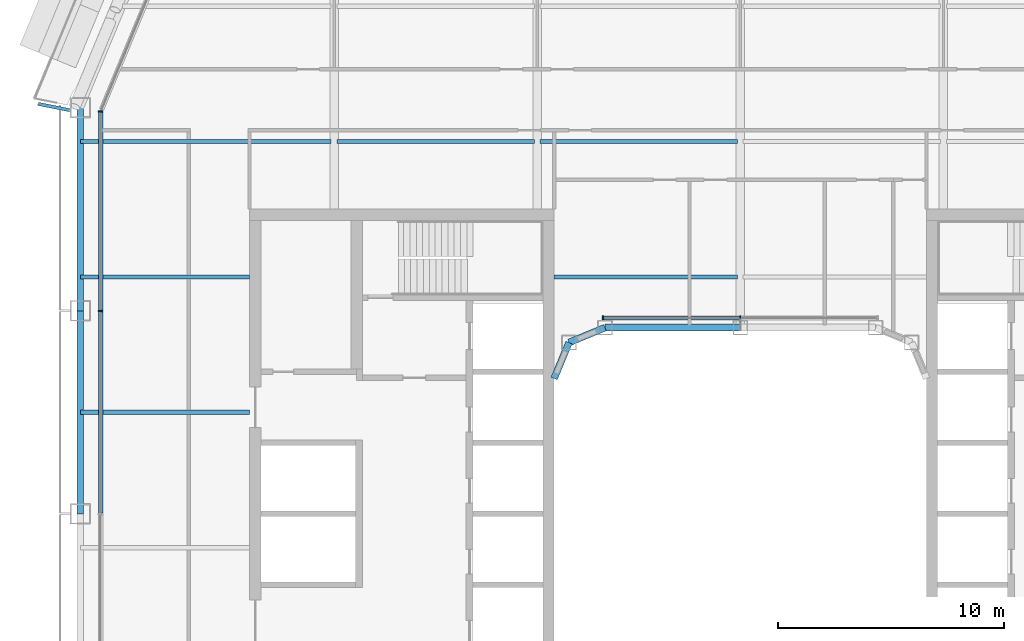
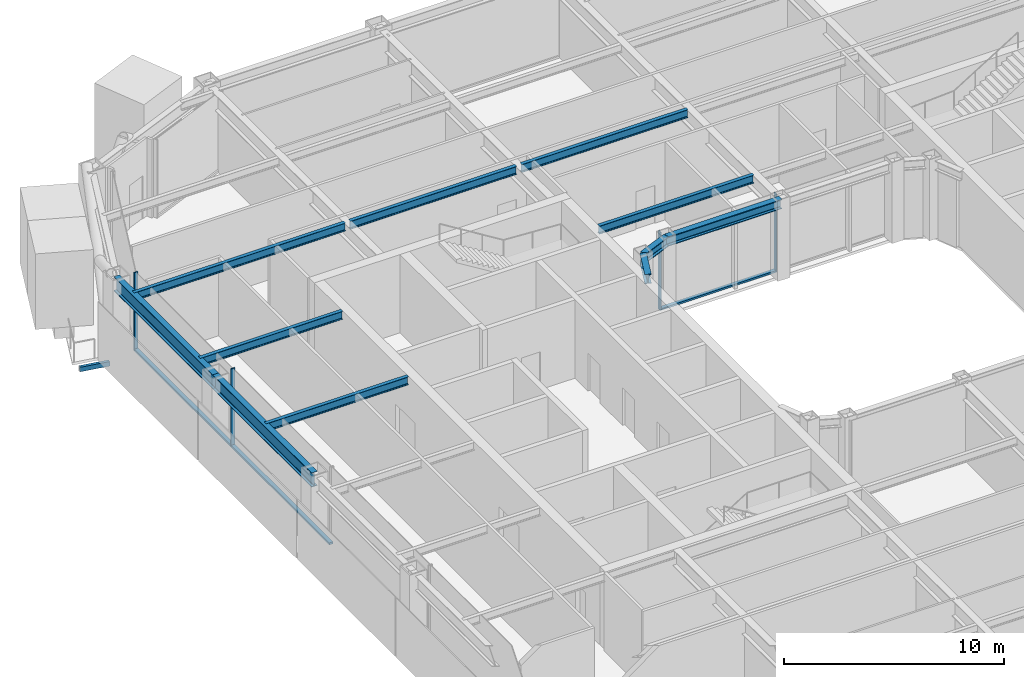
# One storey, part 6 of 23: 12 beams, 7 members, 2 elements without a shape of their own.
"""IFC4 building model written with IfcOpenShell, lengths in metres."""

from ifc_helpers import new_model, si_unit, direction, frame, origin, origin_2d, place, context, subcontext, project, spatial, rectangle, hollow_rectangle, i_section, extrude, material, layer, layer_set, material_profile, profile_set, type_object, element, aggregate, save


model = new_model("IFC4")

# Units and contexts
model_context = context("Model", 3, precision=1e-05, world=origin(), true_north=direction((0.0, 1.0)))
body_context = subcontext(model_context, "Body", "Model", "MODEL_VIEW")
ifc_project = project(units=[si_unit("LENGTHUNIT", "METRE"), si_unit("AREAUNIT", "SQUARE_METRE"), si_unit("VOLUMEUNIT", "CUBIC_METRE"), si_unit("PLANEANGLEUNIT", "RADIAN"), si_unit("MASSUNIT", "GRAM", prefix="KILO")], contexts=[model_context])

# Site, building, storey
site_placement = place(None, origin())
site = spatial("IfcSite", under=ifc_project, at=site_placement, CompositionType="ELEMENT")
building_placement = place(site_placement, origin())
building = spatial("IfcBuilding", under=site, at=building_placement, Name="Siwar Civic Tower", CompositionType="ELEMENT")
storey_placement = place(building_placement, frame((0.0, 0.0, 154.199951171875)))
storey = spatial("IfcBuildingStorey", under=building, at=storey_placement, Name="L33", CompositionType="ELEMENT", Elevation=154.199951171875)

# Beam
ifc_material_1 = material(Name="Steel S355", Category="steel")
ifc_material_profile_1 = material_profile(ifc_material_1, hollow_rectangle(XDim=0.14990234375, YDim=0.25, WallThickness=0.010009765625, at=origin_2d()), Name="RHS250x150x10")
ifc_profile_set_1 = profile_set([ifc_material_profile_1], Name="Steel S355")
beam_type_1 = type_object("IfcBeamType", Name="ENV-BALCONY ARM", PredefinedType="BEAM", material=ifc_profile_set_1)
beam_1_placement = place(storey_placement, frame((-29.709716796875, 17.887451171875, -0.27490234375), z_axis=(-0.980765118081, 0.195191657493, 0.0), x_axis=(-0.195191657493, -0.980765118081, 0.0)))
element("IfcBeam", 1, at=beam_1_placement, inside=storey, type_object=beam_type_1, Name="Balcony cantilever beam NW 3", PredefinedType="BEAM", context=body_context, shape_type="SweptSolid", body=[
    extrude(hollow_rectangle(XDim=0.14990234375, YDim=0.25, WallThickness=0.010009765625, at=origin_2d()), origin(), (0.0, 0.0, 1.0), 1.422119140625),
])

# Curtain wall, members
ifc_material_2 = material(Name="Aluminium and glass", Category="aluminium")
ifc_layer_1 = layer(ifc_material_2, 0.199951171875)
ifc_layer_set_1 = layer_set([ifc_layer_1], Name="Aluminium and glass")
curtain_wall_type_1 = type_object("IfcCurtainWallType", Name="ENV-CW-B", PredefinedType="NOTDEFINED", material=ifc_layer_set_1)
curtain_wall_1_placement = place(storey_placement, origin())
curtain_wall_1 = element("IfcCurtainWall", 2, at=curtain_wall_1_placement, inside=storey, type_object=curtain_wall_type_1, Name="Curtain wall B W", PredefinedType="NOTDEFINED")
ifc_material_3 = material(Name="Aluminium 6063-T6", Category="aluminium")
ifc_material_profile_2 = material_profile(ifc_material_3, rectangle(XDim=0.199951171875, YDim=0.06494140625, at=origin_2d()), Name="AL 200x65")
ifc_profile_set_2 = profile_set([ifc_material_profile_2], Name="Aluminium 6063-T6")
member_type_1 = type_object("IfcMemberType", Name="ENV-MULLION-B", PredefinedType="MULLION", material=ifc_profile_set_2)
member_1_placement = place(storey_placement, frame((-28.35009765625, 17.821044921875, 0.0), z_axis=(0.0, 0.0, 1.0), x_axis=(1.0, 0.0, 0.0)))
member_1 = element("IfcMember", 3, at=member_1_placement, type_object=member_type_1, Name="Mullion B W 1", PredefinedType="MULLION", context=body_context, shape_type="SweptSolid", body=[
    extrude(rectangle(XDim=0.199951171875, YDim=0.06494140625, at=origin_2d()), origin(), (0.0, 0.0, 1.0), 4.35009765625),
])
member_2_placement = place(storey_placement, frame((-28.35009765625, 9.0, 0.0), z_axis=(0.0, 0.0, 1.0), x_axis=(1.0, 0.0, 0.0)))
member_2 = element("IfcMember", 4, at=member_2_placement, type_object=member_type_1, Name="Mullion B W 2", PredefinedType="MULLION", context=body_context, shape_type="SweptSolid", body=[
    extrude(rectangle(XDim=0.199951171875, YDim=0.06494140625, at=origin_2d()), origin(), (0.0, 0.0, 1.0), 4.35009765625),
])

ifc_material_4 = material(Name="Aluminium and glass", Category="aluminium")
ifc_layer_2 = layer(ifc_material_4, 0.179931640625)
ifc_layer_set_2 = layer_set([ifc_layer_2], Name="Aluminium and glass")
curtain_wall_type_2 = type_object("IfcCurtainWallType", Name="ENV-CW-W", PredefinedType="NOTDEFINED", material=ifc_layer_set_2)
curtain_wall_2_placement = place(storey_placement, origin())
curtain_wall_2 = element("IfcCurtainWall", 5, at=curtain_wall_2_placement, inside=storey, type_object=curtain_wall_type_2, Name="Curtain wall W WN", PredefinedType="NOTDEFINED")
ifc_material_5 = material(Name="Aluminium 6063-T6", Category="aluminium")
ifc_material_profile_3 = material_profile(ifc_material_5, rectangle(XDim=0.179931640625, YDim=0.06005859375, at=origin_2d()), Name="AL 180x60")
ifc_profile_set_3 = profile_set([ifc_material_profile_3], Name="Aluminium 6063-T6")
member_type_2 = type_object("IfcMemberType", Name="ENV-MULLION-W", PredefinedType="MULLION", material=ifc_profile_set_3)
member_3_placement = place(storey_placement, frame((0.0, 8.68505859375, 0.0), z_axis=(0.0, 0.0, 1.0), x_axis=(0.0, -1.0, 0.0)))
member_3 = element("IfcMember", 6, at=member_3_placement, type_object=member_type_2, Name="Mullion W WN 2", PredefinedType="MULLION", context=body_context, shape_type="SweptSolid", body=[
    extrude(rectangle(XDim=0.179931640625, YDim=0.06005859375, at=origin_2d()), origin(), (0.0, 0.0, 1.0), 4.35009765625),
])
member_4_placement = place(storey_placement, frame((-6.08642578125, 8.68505859375, 0.0), z_axis=(0.0, 0.0, 1.0), x_axis=(0.0, -1.0, 0.0)))
member_4 = element("IfcMember", 7, at=member_4_placement, type_object=member_type_2, Name="Mullion W WN 3", PredefinedType="MULLION", context=body_context, shape_type="SweptSolid", body=[
    extrude(rectangle(XDim=0.179931640625, YDim=0.06005859375, at=origin_2d()), origin(), (0.0, 0.0, 1.0), 4.35009765625),
])

# Member
ifc_material_6 = material(Name="Aluminium 6063-T6", Category="aluminium")
ifc_material_profile_4 = material_profile(ifc_material_6, rectangle(XDim=0.199951171875, YDim=0.110107421875, at=origin_2d()), Name="AL 200x110")
ifc_profile_set_4 = profile_set([ifc_material_profile_4], Name="Aluminium 6063-T6")
member_type_3 = type_object("IfcMemberType", Name="ENV-TRANSOM-B", PredefinedType="USERDEFINED", material=ifc_profile_set_4)
member_5_placement = place(storey_placement, frame((-28.35009765625, 17.78857421875, 0.054931640625), z_axis=(0.0, -1.0, 0.0), x_axis=(1.0, 0.0, 0.0)))
member_5 = element("IfcMember", 8, at=member_5_placement, type_object=member_type_3, Name="Transom B W 1", ObjectType="TRANSOM", PredefinedType="USERDEFINED", context=body_context, shape_type="SweptSolid", body=[
    extrude(rectangle(XDim=0.199951171875, YDim=0.110107421875, at=origin_2d()), origin(), (0.0, 0.0, 1.0), 8.756103515625),
])

member_6_placement = place(storey_placement, frame((-28.35009765625, 8.967529296875, 0.054931640625), z_axis=(0.0, -1.0, 0.0), x_axis=(1.0, 0.0, 0.0)))
member_6 = element("IfcMember", 9, at=member_6_placement, type_object=member_type_3, Name="Transom B W 2", ObjectType="TRANSOM", PredefinedType="USERDEFINED", context=body_context, shape_type="SweptSolid", body=[
    extrude(rectangle(XDim=0.199951171875, YDim=0.110107421875, at=origin_2d()), origin(), (0.0, 0.0, 1.0), 8.93505859375),
])

aggregate(curtain_wall_1, [member_1, member_2, member_5, member_6])

ifc_material_7 = material(Name="Aluminium 6063-T6", Category="aluminium")
ifc_material_profile_5 = material_profile(ifc_material_7, rectangle(XDim=0.179931640625, YDim=0.10009765625, at=origin_2d()), Name="AL 180x100")
ifc_profile_set_5 = profile_set([ifc_material_profile_5], Name="Aluminium 6063-T6")
member_type_4 = type_object("IfcMemberType", Name="ENV-TRANSOM-W", PredefinedType="USERDEFINED", material=ifc_profile_set_5)
member_7_placement = place(storey_placement, frame((-0.030029296875, 8.68505859375, 0.050048828125), z_axis=(-1.0, 0.0, 0.0), x_axis=(0.0, -1.0, 0.0)))
member_7 = element("IfcMember", 10, at=member_7_placement, type_object=member_type_4, Name="Transom W WN 2", ObjectType="TRANSOM", PredefinedType="USERDEFINED", context=body_context, shape_type="SweptSolid", body=[
    extrude(rectangle(XDim=0.179931640625, YDim=0.10009765625, at=origin_2d()), origin(), (0.0, 0.0, 1.0), 6.026611328125),
])

aggregate(curtain_wall_2, [member_3, member_4, member_7])

# Beams
ifc_material_8 = material(Name="Steel S355", Category="steel")
ifc_material_profile_6 = material_profile(ifc_material_8, i_section(OverallWidth=0.18994140625, OverallDepth=0.449951171875, WebThickness=0.009521484375, FlangeThickness=0.0146484375, FilletRadius=0.02099609375, at=origin_2d()), Name="IPE450")
ifc_profile_set_6 = profile_set([ifc_material_profile_6], Name="Steel S355")
beam_type_2 = type_object("IfcBeamType", Name="STR-FB-IPE450", PredefinedType="JOIST", material=ifc_profile_set_6)
for number, where, z_axis, x_axis, name in (
    (11, (-29.25, 4.5, 4.125), (1.0, 0.0, 0.0), (0.0, 1.0, 0.0), "L33/bm/F025"),
    (12, (-29.25, 10.5, 4.125), (1.0, 0.0, 0.0), (0.0, 1.0, 0.0), "L33/bm/F027"),
):
    element("IfcBeam", number, at=place(storey_placement, frame(where, z_axis=z_axis, x_axis=x_axis)), inside=storey, type_object=beam_type_2, Name=name, PredefinedType="JOIST", context=body_context, shape_type="SweptSolid", body=[
        extrude(i_section(OverallWidth=0.18994140625, OverallDepth=0.449951171875, WebThickness=0.009521484375, FlangeThickness=0.0146484375, FilletRadius=0.02099609375, at=origin_2d()), origin(), (0.0, 0.0, 1.0), 7.5),
    ])
beam_2_placement = place(storey_placement, frame((-8.25, 10.5, 4.125), z_axis=(1.0, 0.0, 0.0), x_axis=(0.0, 1.0, 0.0)))
element("IfcBeam", 13, at=beam_2_placement, inside=storey, type_object=beam_type_2, Name="L33/bm/F028", PredefinedType="JOIST", context=body_context, shape_type="SweptSolid", body=[
    extrude(i_section(OverallWidth=0.18994140625, OverallDepth=0.449951171875, WebThickness=0.009521484375, FlangeThickness=0.0146484375, FilletRadius=0.02099609375, at=origin_2d()), origin(), (0.0, 0.0, 1.0), 8.1201171875),
])
beam_3_placement = place(storey_placement, frame((-29.25, 16.5, 4.125), z_axis=(1.0, 0.0, 0.0), x_axis=(0.0, 1.0, 0.0)))
element("IfcBeam", 14, at=beam_3_placement, inside=storey, type_object=beam_type_2, Name="L33/bm/F031", PredefinedType="JOIST", context=body_context, shape_type="SweptSolid", body=[
    extrude(i_section(OverallWidth=0.18994140625, OverallDepth=0.449951171875, WebThickness=0.009521484375, FlangeThickness=0.0146484375, FilletRadius=0.02099609375, at=origin_2d()), origin(), (0.0, 0.0, 1.0), 11.1201171875),
])
for number, where, z_axis, x_axis, name in (
    (15, (-17.8701171875, 16.5, 4.125), (1.0, 0.0, 0.0), (0.0, 1.0, 0.0), "L33/bm/F032"),
    (16, (-8.8701171875, 16.5, 4.125), (1.0, 0.0, 0.0), (0.0, 1.0, 0.0), "L33/bm/F033"),
):
    element("IfcBeam", number, at=place(storey_placement, frame(where, z_axis=z_axis, x_axis=x_axis)), inside=storey, type_object=beam_type_2, Name=name, PredefinedType="JOIST", context=body_context, shape_type="SweptSolid", body=[
        extrude(i_section(OverallWidth=0.18994140625, OverallDepth=0.449951171875, WebThickness=0.009521484375, FlangeThickness=0.0146484375, FilletRadius=0.02099609375, at=origin_2d()), origin(), (0.0, 0.0, 1.0), 8.740234375),
    ])
ifc_material_9 = material(Name="Steel S355", Category="steel")
ifc_material_profile_7 = material_profile(ifc_material_9, i_section(OverallWidth=0.305908203125, OverallDepth=0.52392578125, WebThickness=0.02099609375, FlangeThickness=0.0400390625, FilletRadius=0.027099609375, at=origin_2d()), Name="HEM500")
ifc_profile_set_7 = profile_set([ifc_material_profile_7], Name="Steel S355")
beam_type_3 = type_object("IfcBeamType", Name="STR-RB-HEM500", PredefinedType="BEAM", material=ifc_profile_set_7)
beam_4_placement = place(storey_placement, frame((-7.591064453125, 7.591064453125, 4.088134765625), z_axis=(0.923901072997, 0.382631424892, 0.0), x_axis=(-0.382631424892, 0.923901072997, 0.0)))
element("IfcBeam", 17, at=beam_4_placement, inside=storey, type_object=beam_type_3, Name="L33/bm/RN0", PredefinedType="BEAM", context=body_context, shape_type="SweptSolid", body=[
    extrude(i_section(OverallWidth=0.305908203125, OverallDepth=0.52392578125, WebThickness=0.02099609375, FlangeThickness=0.0400390625, FilletRadius=0.027099609375, at=origin_2d()), origin(), (0.0, 0.0, 1.0), 1.72216796875),
])
beam_5_placement = place(storey_placement, frame((-6.0, 8.25, 4.088134765625), z_axis=(1.0, 0.0, 0.0), x_axis=(0.0, 1.0, 0.0)))
element("IfcBeam", 18, at=beam_5_placement, inside=storey, type_object=beam_type_3, Name="L33/bm/RN1", PredefinedType="BEAM", context=body_context, shape_type="SweptSolid", body=[
    extrude(i_section(OverallWidth=0.305908203125, OverallDepth=0.52392578125, WebThickness=0.02099609375, FlangeThickness=0.0400390625, FilletRadius=0.027099609375, at=origin_2d()), origin(), (0.0, 0.0, 1.0), 6.0),
])
beam_6_placement = place(storey_placement, frame((-7.591064453125, 7.591064453125, 4.088134765625), z_axis=(-0.382631424892, -0.923901072997, 0.0), x_axis=(0.923901072997, -0.382631424892, 0.0)))
element("IfcBeam", 19, at=beam_6_placement, inside=storey, type_object=beam_type_3, Name="L33/bm/RNEW", PredefinedType="BEAM", context=body_context, shape_type="SweptSolid", body=[
    extrude(i_section(OverallWidth=0.305908203125, OverallDepth=0.52392578125, WebThickness=0.02099609375, FlangeThickness=0.0400390625, FilletRadius=0.027099609375, at=origin_2d()), origin(), (0.0, 0.0, 1.0), 1.72216796875),
])
ifc_material_10 = material(Name="Steel S355", Category="steel")
ifc_material_profile_8 = material_profile(ifc_material_10, i_section(OverallWidth=0.300048828125, OverallDepth=0.800048828125, WebThickness=0.017578125, FlangeThickness=0.032958984375, FilletRadius=0.030029296875, at=origin_2d()), Name="HEB800")
ifc_profile_set_8 = profile_set([ifc_material_profile_8], Name="Steel S355")
beam_type_4 = type_object("IfcBeamType", Name="STR-SB-HEB800", PredefinedType="BEAM", material=ifc_profile_set_8)
for number, where, z_axis, x_axis, name in (
    (20, (-29.25, 18.0, 3.949951171875), (0.0, -1.0, 0.0), (1.0, 0.0, 0.0), "L33/bm/SW-0"),
    (21, (-29.25, 9.0, 3.949951171875), (0.0, -1.0, 0.0), (1.0, 0.0, 0.0), "L33/bm/SW-1"),
):
    element("IfcBeam", number, at=place(storey_placement, frame(where, z_axis=z_axis, x_axis=x_axis)), inside=storey, type_object=beam_type_4, Name=name, PredefinedType="BEAM", context=body_context, shape_type="SweptSolid", body=[
        extrude(i_section(OverallWidth=0.300048828125, OverallDepth=0.800048828125, WebThickness=0.017578125, FlangeThickness=0.032958984375, FilletRadius=0.030029296875, at=origin_2d()), origin(), (0.0, 0.0, 1.0), 9.0),
    ])

save(model, "model.ifc")
